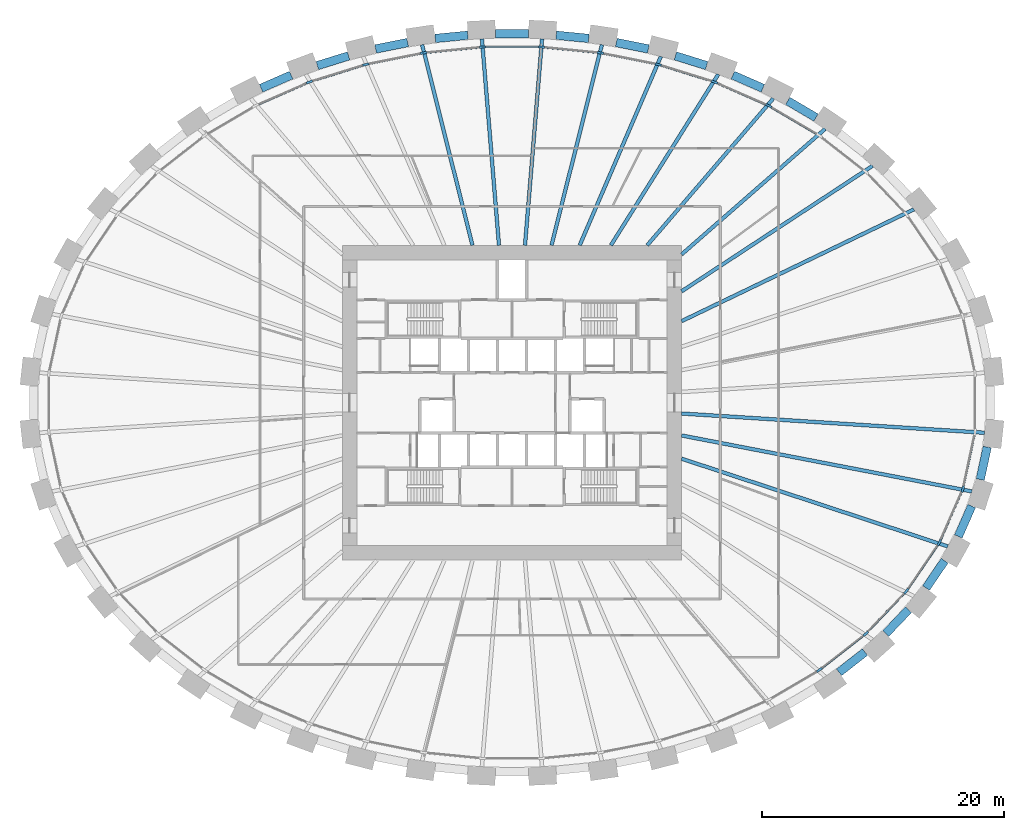
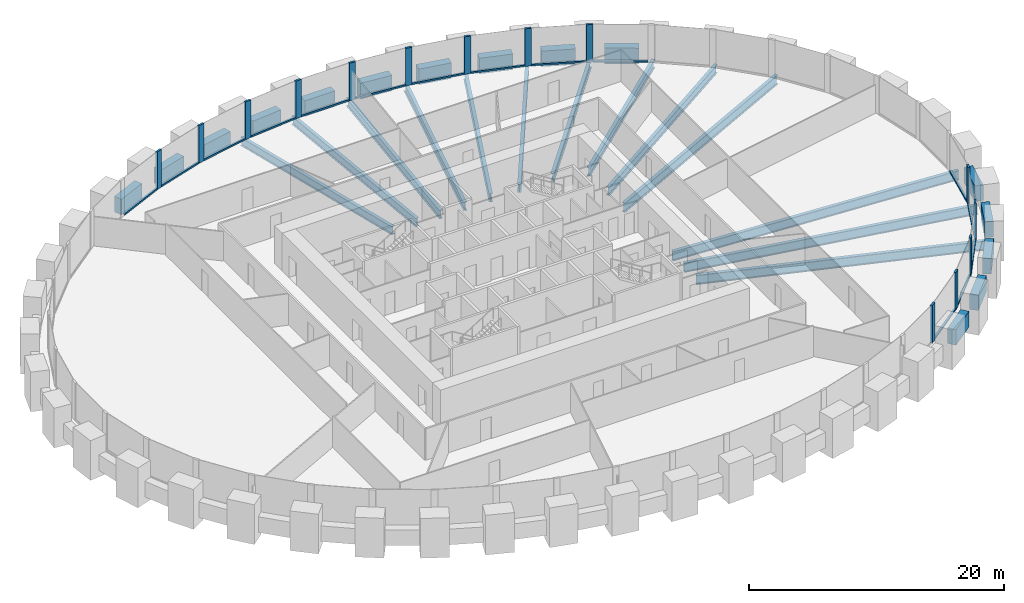
# One storey, part 3 of 10: 29 members, 28 beams, 1 element without a shape of its own.
"""IFC4 building model written with IfcOpenShell, lengths in metres."""

from ifc_helpers import new_model, si_unit, direction, frame, origin, origin_2d, place, context, subcontext, project, spatial, rectangle, i_section, extrude, source, transform, mapped, material, material_profile, profile_set, type_object, element, aggregate, save


model = new_model("IFC4")

# Units and contexts
model_context = context("Model", 3, precision=1e-05, world=origin(), true_north=direction((0.0, 1.0)))
body_context = subcontext(model_context, "Body", "Model", "MODEL_VIEW")
ifc_project = project(units=[si_unit("LENGTHUNIT", "METRE"), si_unit("AREAUNIT", "SQUARE_METRE"), si_unit("VOLUMEUNIT", "CUBIC_METRE"), si_unit("PLANEANGLEUNIT", "RADIAN"), si_unit("MASSUNIT", "GRAM", prefix="KILO")], contexts=[model_context])

# Site, building, storey
site_placement = place(None, origin())
site = spatial("IfcSite", under=ifc_project, at=site_placement, CompositionType="ELEMENT")
building_placement = place(site_placement, origin())
building = spatial("IfcBuilding", under=site, at=building_placement, Name="Embergate Tower", CompositionType="ELEMENT")
storey_placement = place(building_placement, frame((0.0, 0.0, 121.10009765625)))
storey = spatial("IfcBuildingStorey", under=building, at=storey_placement, Name="L26", CompositionType="ELEMENT", Elevation=121.10009765625)

# Beams
ifc_material_1 = material(Name="Concrete C70", Category="concrete")
ifc_material_profile_1 = material_profile(ifc_material_1, rectangle(XDim=0.699951171875, YDim=1.5, at=origin_2d()), Name="RC 700x1500")
ifc_profile_set_1 = profile_set([ifc_material_profile_1], Name="Concrete C70")
beam_type_1 = type_object("IfcBeamType", Name="Spandrel beam RC 700x1500 C70", PredefinedType="BEAM", material=ifc_profile_set_1)
shared_shape_1 = source(origin(), body_context, "Body", "SweptSolid", [
    extrude(rectangle(XDim=0.699951171875, YDim=1.5, at=origin_2d()), origin(), (0.0, 0.0, 1.0), 2.741455078125),
])
beam_1_placement = place(storey_placement, frame((38.64794921875, -6.337890625, 0.0), z_axis=(0.210532507107, 0.977586857241, 0.0), x_axis=(-0.977586857241, 0.210532507107, 0.0)))
element("IfcBeam", 1, at=beam_1_placement, inside=storey, type_object=beam_type_1, Name="SPN-L26-42", PredefinedType="BEAM", context=body_context, shape_type="MappedRepresentation", body=[
    mapped(shared_shape_1, transform((0.0, 0.0, 0.0))),
])
shared_shape_2 = source(origin(), body_context, "Body", "SweptSolid", [
    extrude(rectangle(XDim=0.699951171875, YDim=1.5, at=origin_2d()), origin(), (0.0, 0.0, 1.0), 2.73779296875),
])
beam_2_placement = place(storey_placement, frame((36.841064453125, -11.032958984375, 0.0), z_axis=(0.401740219387, 0.915753676556, 0.0), x_axis=(-0.915753676556, 0.401740219387, 0.0)))
element("IfcBeam", 2, at=beam_2_placement, inside=storey, type_object=beam_type_1, Name="SPN-L26-41", PredefinedType="BEAM", context=body_context, shape_type="MappedRepresentation", body=[
    mapped(shared_shape_2, transform((0.0, 0.0, 0.0))),
])
shared_shape_3 = source(origin(), body_context, "Body", "SweptSolid", [
    extrude(rectangle(XDim=0.699951171875, YDim=1.5, at=origin_2d()), origin(), (0.0, 0.0, 1.0), 2.727294921875),
])
beam_3_placement = place(storey_placement, frame((34.176025390625, -15.291015625, 0.0), z_axis=(0.562422644454, 0.826849907181, 0.0), x_axis=(-0.826849907181, 0.562422644454, 0.0)))
element("IfcBeam", 3, at=beam_3_placement, inside=storey, type_object=beam_type_1, Name="SPN-L26-40", PredefinedType="BEAM", context=body_context, shape_type="MappedRepresentation", body=[
    mapped(shared_shape_3, transform((0.0, 0.0, 0.0))),
])
shared_shape_4 = source(origin(), body_context, "Body", "SweptSolid", [
    extrude(rectangle(XDim=0.699951171875, YDim=1.5, at=origin_2d()), origin(), (0.0, 0.0, 1.0), 2.720947265625),
])
beam_4_placement = place(storey_placement, frame((30.85302734375, -19.050048828125, 0.0), z_axis=(0.690174788546, 0.723642702759, 0.0), x_axis=(-0.723642702759, 0.690174788546, 0.0)))
element("IfcBeam", 4, at=beam_4_placement, inside=storey, type_object=beam_type_1, Name="SPN-L26-39", PredefinedType="BEAM", context=body_context, shape_type="MappedRepresentation", body=[
    mapped(shared_shape_4, transform((0.0, 0.0, 0.0))),
])
shared_shape_5 = source(origin(), body_context, "Body", "SweptSolid", [
    extrude(rectangle(XDim=0.699951171875, YDim=1.5, at=origin_2d()), origin(), (0.0, 0.0, 1.0), 2.715087890625),
])
beam_5_placement = place(storey_placement, frame((26.9951171875, -22.25, 0.0), z_axis=(0.788183854673, 0.61543985184, 0.0), x_axis=(-0.61543985184, 0.788183854673, 0.0)))
element("IfcBeam", 5, at=beam_5_placement, inside=storey, type_object=beam_type_1, Name="SPN-L26-38", PredefinedType="BEAM", context=body_context, shape_type="MappedRepresentation", body=[
    mapped(shared_shape_5, transform((0.0, 0.0, 0.0))),
])
shared_shape_6 = source(origin(), body_context, "Body", "SweptSolid", [
    extrude(rectangle(XDim=0.699951171875, YDim=1.5, at=origin_2d()), origin(), (0.0, 0.0, 1.0), 2.70947265625),
])
beam_6_placement = place(storey_placement, frame((25.093017578125, 23.54296875, 0.0), z_axis=(-0.862100939268, 0.506736588884, 0.0), x_axis=(-0.506736588884, -0.862100939268, 0.0)))
element("IfcBeam", 6, at=beam_6_placement, inside=storey, type_object=beam_type_1, Name="SPN-L26-05", PredefinedType="BEAM", context=body_context, shape_type="MappedRepresentation", body=[
    mapped(shared_shape_6, transform((0.0, 0.0, 0.0))),
])
shared_shape_7 = source(origin(), body_context, "Body", "SweptSolid", [
    extrude(rectangle(XDim=0.699951171875, YDim=1.5, at=origin_2d()), origin(), (0.0, 0.0, 1.0), 2.70751953125),
])
for number, where, z_axis, x_axis, name in (
    (7, (20.7080078125, 25.9619140625, 0.0), (-0.91635176707, 0.400374123774, 0.0), (-0.400374123774, -0.91635176707, 0.0), "SPN-L26-06"),
    (8, (-18.22705078125, 27.0458984375, 0.0), (-0.91635176707, -0.400374123774, 0.0), (0.400374123774, -0.91635176707, 0.0), "SPN-L26-14"),
):
    element("IfcBeam", number, at=place(storey_placement, frame(where, z_axis=z_axis, x_axis=x_axis)), inside=storey, type_object=beam_type_1, Name=name, PredefinedType="BEAM", context=body_context, shape_type="MappedRepresentation", body=[
        mapped(shared_shape_7, transform((0.0, 0.0, 0.0))),
    ])
shared_shape_8 = source(origin(), body_context, "Body", "SweptSolid", [
    extrude(rectangle(XDim=0.699951171875, YDim=1.5, at=origin_2d()), origin(), (0.0, 0.0, 1.0), 2.701171875),
])
for number, where, z_axis, x_axis, name in (
    (9, (16.06494140625, 27.8310546875, 0.0), (-0.954683993788, 0.297621356768, 0.0), (-0.297621356768, -0.954683993788, 0.0), "SPN-L26-07"),
    (10, (11.257080078125, 29.202880859375, 0.0), (-0.980395998514, 0.197037270836, 0.0), (-0.197037270836, -0.980395998514, 0.0), "SPN-L26-08"),
    (11, (-8.60888671875, 29.735107421875, 0.0), (-0.980395998514, -0.197037270836, 0.0), (0.197037270836, -0.980395998514, 0.0), "SPN-L26-12"),
    (12, (-13.486083984375, 28.635009765625, 0.0), (-0.954683993788, -0.297621356768, 0.0), (0.297621356768, -0.954683993788, 0.0), "SPN-L26-13"),
):
    element("IfcBeam", number, at=place(storey_placement, frame(where, z_axis=z_axis, x_axis=x_axis)), inside=storey, type_object=beam_type_1, Name=name, PredefinedType="BEAM", context=body_context, shape_type="MappedRepresentation", body=[
        mapped(shared_shape_8, transform((0.0, 0.0, 0.0))),
    ])
shared_shape_9 = source(origin(), body_context, "Body", "SweptSolid", [
    extrude(rectangle(XDim=0.699951171875, YDim=1.5, at=origin_2d()), origin(), (0.0, 0.0, 1.0), 2.699951171875),
])
for number, where, z_axis, x_axis, name in (
    (13, (6.333984375, 30.073974609375, 0.0), (-0.995211120004, 0.097748793451, 0.0), (-0.097748793451, -0.995211120004, 0.0), "SPN-L26-09"),
    (14, (-3.64697265625, 30.337890625, 0.0), (-0.995211120004, -0.097748793451, 0.0), (0.097748793451, -0.995211120004, 0.0), "SPN-L26-11"),
):
    element("IfcBeam", number, at=place(storey_placement, frame(where, z_axis=z_axis, x_axis=x_axis)), inside=storey, type_object=beam_type_1, Name=name, PredefinedType="BEAM", context=body_context, shape_type="MappedRepresentation", body=[
        mapped(shared_shape_9, transform((0.0, 0.0, 0.0))),
    ])
shared_shape_10 = source(origin(), body_context, "Body", "SweptSolid", [
    extrude(rectangle(XDim=0.699951171875, YDim=1.5, at=origin_2d()), origin(), (0.0, 0.0, 1.0), 2.7001953125),
])
beam_7_placement = place(storey_placement, frame((1.35009765625, 30.450927734375, 0.0), z_axis=(-1.0, 0.0, 0.0), x_axis=(0.0, -1.0, 0.0)))
element("IfcBeam", 15, at=beam_7_placement, inside=storey, type_object=beam_type_1, Name="SPN-L26-10", PredefinedType="BEAM", context=body_context, shape_type="MappedRepresentation", body=[
    mapped(shared_shape_10, transform((0.0, 0.0, 0.0))),
])
ifc_material_2 = material(Name="Steel Q355B", Category="steel")
ifc_material_profile_2 = material_profile(ifc_material_2, i_section(OverallWidth=0.300048828125, OverallDepth=0.89990234375, WebThickness=0.01611328125, FlangeThickness=0.028076171875, FilletRadius=0.028076171875, at=origin_2d()), Name="HN 900x300x16x28")
ifc_profile_set_2 = profile_set([ifc_material_profile_2], Name="Steel Q355 grade B")
beam_type_2 = type_object("IfcBeamType", Name="Radial girder HN 900x300x16x28", PredefinedType="BEAM", material=ifc_profile_set_2)
shared_shape_11 = source(origin(), body_context, "Body", "SweptSolid", [
    extrude(i_section(OverallWidth=0.300048828125, OverallDepth=0.89990234375, WebThickness=0.01611328125, FlangeThickness=0.028076171875, FilletRadius=0.028076171875, at=origin_2d()), origin(), (0.0, 0.0, 1.0), 25.04833984375),
])
beam_8_placement = place(storey_placement, frame((38.998046875, -2.47705078125, -0.650146484375), z_axis=(-0.997988035397, 0.063402533111, 0.0), x_axis=(-0.063402533111, -0.997988035397, 0.0)))
element("IfcBeam", 16, at=beam_8_placement, inside=storey, type_object=beam_type_2, Name="GIR-L26-43", PredefinedType="BEAM", context=body_context, shape_type="MappedRepresentation", body=[
    mapped(shared_shape_11, transform((0.0, 0.0, 0.0))),
])
shared_shape_12 = source(origin(), body_context, "Body", "SweptSolid", [
    extrude(i_section(OverallWidth=0.300048828125, OverallDepth=0.89990234375, WebThickness=0.01611328125, FlangeThickness=0.028076171875, FilletRadius=0.028076171875, at=origin_2d()), origin(), (0.0, 0.0, 1.0), 24.397705078125),
])
beam_9_placement = place(storey_placement, frame((37.9560546875, -7.322021484375, -0.650146484375), z_axis=(-0.981898654656, 0.18940705368, 0.0), x_axis=(-0.18940705368, -0.981898654656, 0.0)))
element("IfcBeam", 17, at=beam_9_placement, inside=storey, type_object=beam_type_2, Name="GIR-L26-42", PredefinedType="BEAM", context=body_context, shape_type="MappedRepresentation", body=[
    mapped(shared_shape_12, transform((0.0, 0.0, 0.0))),
])
shared_shape_13 = source(origin(), body_context, "Body", "SweptSolid", [
    extrude(i_section(OverallWidth=0.300048828125, OverallDepth=0.89990234375, WebThickness=0.01611328125, FlangeThickness=0.028076171875, FilletRadius=0.028076171875, at=origin_2d()), origin(), (0.0, 0.0, 1.0), 23.12890625),
])
beam_10_placement = place(storey_placement, frame((35.965087890625, -11.861083984375, -0.650146484375), z_axis=(-0.949684454756, 0.313208295541, 0.0), x_axis=(-0.313208295541, -0.949684454756, 0.0)))
element("IfcBeam", 18, at=beam_10_placement, inside=storey, type_object=beam_type_2, Name="GIR-L26-41", PredefinedType="BEAM", context=body_context, shape_type="MappedRepresentation", body=[
    mapped(shared_shape_13, transform((0.0, 0.0, 0.0))),
])
shared_shape_14 = source(origin(), body_context, "Body", "SweptSolid", [
    extrude(i_section(OverallWidth=0.300048828125, OverallDepth=0.89990234375, WebThickness=0.01611328125, FlangeThickness=0.028076171875, FilletRadius=0.028076171875, at=origin_2d()), origin(), (0.0, 0.0, 1.0), 21.28076171875),
])
beam_11_placement = place(storey_placement, frame((33.177001953125, 15.9609375, -0.650146484375), z_axis=(-0.901140134985, -0.433527919654, 0.0), x_axis=(0.433527919654, -0.901140134985, 0.0)))
element("IfcBeam", 19, at=beam_11_placement, inside=storey, type_object=beam_type_2, Name="GIR-L26-03", PredefinedType="BEAM", context=body_context, shape_type="MappedRepresentation", body=[
    mapped(shared_shape_14, transform((0.0, 0.0, 0.0))),
])
ifc_material_profile_3 = material_profile(ifc_material_2, i_section(OverallWidth=0.300048828125, OverallDepth=0.800048828125, WebThickness=0.013916015625, FlangeThickness=0.02587890625, FilletRadius=0.028076171875, at=origin_2d()), Name="HN 800x300x14x26")
ifc_profile_set_3 = profile_set([ifc_material_profile_3], Name="Steel Q355 grade B")
beam_type_3 = type_object("IfcBeamType", Name="Radial girder HN 800x300x14x26", PredefinedType="BEAM", material=ifc_profile_set_3)
shared_shape_15 = source(origin(), body_context, "Body", "SweptSolid", [
    extrude(i_section(OverallWidth=0.300048828125, OverallDepth=0.800048828125, WebThickness=0.013916015625, FlangeThickness=0.02587890625, FilletRadius=0.028076171875, at=origin_2d()), origin(), (0.0, 0.0, 1.0), 18.8515625),
])
beam_12_placement = place(storey_placement, frame((29.7548828125, 19.550048828125, -0.60009765625), z_axis=(-0.835733668862, -0.549134987713, 0.0), x_axis=(0.549134987713, -0.835733668862, 0.0)))
element("IfcBeam", 20, at=beam_12_placement, inside=storey, type_object=beam_type_3, Name="GIR-L26-04", PredefinedType="BEAM", context=body_context, shape_type="MappedRepresentation", body=[
    mapped(shared_shape_15, transform((0.0, 0.0, 0.0))),
])
shared_shape_16 = source(origin(), body_context, "Body", "SweptSolid", [
    extrude(i_section(OverallWidth=0.300048828125, OverallDepth=0.800048828125, WebThickness=0.013916015625, FlangeThickness=0.02587890625, FilletRadius=0.028076171875, at=origin_2d()), origin(), (0.0, 0.0, 1.0), 15.73583984375),
])
beam_13_placement = place(storey_placement, frame((25.844970703125, 22.60205078125, -0.60009765625), z_axis=(-0.752741020376, -0.658316759807, 0.0), x_axis=(0.658316759807, -0.752741020376, 0.0)))
element("IfcBeam", 21, at=beam_13_placement, inside=storey, type_object=beam_type_3, Name="GIR-L26-05", PredefinedType="BEAM", context=body_context, shape_type="MappedRepresentation", body=[
    mapped(shared_shape_16, transform((0.0, 0.0, 0.0))),
])
shared_shape_17 = source(origin(), body_context, "Body", "SweptSolid", [
    extrude(i_section(OverallWidth=0.300048828125, OverallDepth=0.800048828125, WebThickness=0.013916015625, FlangeThickness=0.02587890625, FilletRadius=0.028076171875, at=origin_2d()), origin(), (0.0, 0.0, 1.0), 15.969970703125),
])
beam_14_placement = place(storey_placement, frame((21.568115234375, 25.115966796875, -0.60009765625), z_axis=(-0.651474728506, -0.758670335599, 0.0), x_axis=(0.758670335599, -0.651474728506, 0.0)))
element("IfcBeam", 22, at=beam_14_placement, inside=storey, type_object=beam_type_3, Name="GIR-L26-06", PredefinedType="BEAM", context=body_context, shape_type="MappedRepresentation", body=[
    mapped(shared_shape_17, transform((0.0, 0.0, 0.0))),
])
shared_shape_18 = source(origin(), body_context, "Body", "SweptSolid", [
    extrude(i_section(OverallWidth=0.300048828125, OverallDepth=0.800048828125, WebThickness=0.013916015625, FlangeThickness=0.02587890625, FilletRadius=0.028076171875, at=origin_2d()), origin(), (0.0, 0.0, 1.0), 16.65478515625),
])
beam_15_placement = place(storey_placement, frame((17.02197265625, 27.10400390625, -0.60009765625), z_axis=(-0.531850282952, -0.846838400478, 0.0), x_axis=(0.846838400478, -0.531850282952, 0.0)))
element("IfcBeam", 23, at=beam_15_placement, inside=storey, type_object=beam_type_3, Name="GIR-L26-07", PredefinedType="BEAM", context=body_context, shape_type="MappedRepresentation", body=[
    mapped(shared_shape_18, transform((0.0, 0.0, 0.0))),
])
shared_shape_19 = source(origin(), body_context, "Body", "SweptSolid", [
    extrude(i_section(OverallWidth=0.300048828125, OverallDepth=0.800048828125, WebThickness=0.013916015625, FlangeThickness=0.02587890625, FilletRadius=0.028076171875, at=origin_2d()), origin(), (0.0, 0.0, 1.0), 16.95751953125),
])
beam_16_placement = place(storey_placement, frame((12.284912109375, 28.5791015625, -0.60009765625), z_axis=(-0.394928600028, -0.918711816012, 0.0), x_axis=(0.918711816012, -0.394928600028, 0.0)))
element("IfcBeam", 24, at=beam_16_placement, inside=storey, type_object=beam_type_3, Name="GIR-L26-08", PredefinedType="BEAM", context=body_context, shape_type="MappedRepresentation", body=[
    mapped(shared_shape_19, transform((0.0, 0.0, 0.0))),
])
shared_shape_20 = source(origin(), body_context, "Body", "SweptSolid", [
    extrude(i_section(OverallWidth=0.300048828125, OverallDepth=0.800048828125, WebThickness=0.013916015625, FlangeThickness=0.02587890625, FilletRadius=0.028076171875, at=origin_2d()), origin(), (0.0, 0.0, 1.0), 17.068603515625),
])
for number, where, z_axis, x_axis, name in (
    (25, (7.419921875, 29.554931640625, -0.60009765625), (-0.243487950905, -0.969903921924, 0.0), (0.969903921924, -0.243487950905, 0.0), "GIR-L26-09"),
    (26, (-7.419921875, 29.554931640625, -0.60009765625), (0.243487950905, -0.969903921924, 0.0), (0.969903921924, 0.243487950905, 0.0), "GIR-L26-12"),
):
    element("IfcBeam", number, at=place(storey_placement, frame(where, z_axis=z_axis, x_axis=x_axis)), inside=storey, type_object=beam_type_3, Name=name, PredefinedType="BEAM", context=body_context, shape_type="MappedRepresentation", body=[
        mapped(shared_shape_20, transform((0.0, 0.0, 0.0))),
    ])
shared_shape_21 = source(origin(), body_context, "Body", "SweptSolid", [
    extrude(i_section(OverallWidth=0.300048828125, OverallDepth=0.800048828125, WebThickness=0.013916015625, FlangeThickness=0.02587890625, FilletRadius=0.028076171875, at=origin_2d()), origin(), (0.0, 0.0, 1.0), 17.09912109375),
])
for number, where, z_axis, x_axis, name in (
    (27, (2.48095703125, 30.041015625, -0.60009765625), (-0.082284484054, -0.996608882001, 0.0), (0.996608882001, -0.082284484054, 0.0), "GIR-L26-10"),
    (28, (-2.48095703125, 30.041015625, -0.60009765625), (0.082284484054, -0.996608882001, 0.0), (0.996608882001, 0.082284484054, 0.0), "GIR-L26-11"),
):
    element("IfcBeam", number, at=place(storey_placement, frame(where, z_axis=z_axis, x_axis=x_axis)), inside=storey, type_object=beam_type_3, Name=name, PredefinedType="BEAM", context=body_context, shape_type="MappedRepresentation", body=[
        mapped(shared_shape_21, transform((0.0, 0.0, 0.0))),
    ])

# Curtain wall, members
ifc_material_3 = material(Name="Aluminium and glass", Category="aluminium")
curtain_wall_type = type_object("IfcCurtainWallType", Name="Recessed office glazing", PredefinedType="NOTDEFINED", material=ifc_material_3)
curtain_wall_placement = place(storey_placement, origin())
curtain_wall = element("IfcCurtainWall", 29, at=curtain_wall_placement, inside=storey, type_object=curtain_wall_type, Name="Recessed office glazing ring", ObjectType="RECESSED OFFICE GLAZING", PredefinedType="USERDEFINED")
ifc_material_4 = material(Name="Aluminium, thermally broken", Category="aluminium")
ifc_material_profile_4 = material_profile(ifc_material_4, rectangle(XDim=0.179931640625, YDim=0.52001953125, at=origin_2d()), Name="AL 520x180")
ifc_profile_set_4 = profile_set([ifc_material_profile_4], Name="Aluminium, thermally broken")
member_type_1 = type_object("IfcMemberType", Name="Office mullion", PredefinedType="MULLION", material=ifc_profile_set_4)
shared_shape_22 = source(origin(), body_context, "Body", "SweptSolid", [
    extrude(rectangle(XDim=0.179931640625, YDim=0.52001953125, at=origin_2d()), origin(), (0.0, 0.0, 1.0), 3.599853515625),
])
member_1_placement = place(storey_placement, frame((21.18017578125, 24.522216796875, 0.0), z_axis=(0.0, 0.0, 1.0), x_axis=(-0.454511380526, -0.890740930334, 0.0)))
member_1 = element("IfcMember", 30, at=member_1_placement, type_object=member_type_1, Name="CW mullion 7", PredefinedType="MULLION", context=body_context, shape_type="MappedRepresentation", body=[
    mapped(shared_shape_22, transform((0.0, 0.0, 0.0))),
])
member_2_placement = place(storey_placement, frame((16.719482421875, 26.47265625, 0.0), z_axis=(0.0, 0.0, 1.0), x_axis=(-0.349502682851, -0.936935363128, 0.0)))
member_2 = element("IfcMember", 31, at=member_2_placement, type_object=member_type_1, Name="CW mullion 8", PredefinedType="MULLION", context=body_context, shape_type="MappedRepresentation", body=[
    mapped(shared_shape_22, transform((0.0, 0.0, 0.0))),
])
member_3_placement = place(storey_placement, frame((12.068359375, 27.921142578125, 0.0), z_axis=(0.0, 0.0, 1.0), x_axis=(-0.24731188137, -0.968935928394, 0.0)))
member_3 = element("IfcMember", 32, at=member_3_placement, type_object=member_type_1, Name="CW mullion 9", PredefinedType="MULLION", context=body_context, shape_type="MappedRepresentation", body=[
    mapped(shared_shape_22, transform((0.0, 0.0, 0.0))),
])
member_4_placement = place(storey_placement, frame((7.28955078125, 28.879638671875, 0.0), z_axis=(0.0, 0.0, 1.0), x_axis=(-0.147412382818, -0.989075118174, 0.0)))
member_4 = element("IfcMember", 33, at=member_4_placement, type_object=member_type_1, Name="CW mullion 10", PredefinedType="MULLION", context=body_context, shape_type="MappedRepresentation", body=[
    mapped(shared_shape_22, transform((0.0, 0.0, 0.0))),
])
member_5_placement = place(storey_placement, frame((2.437744140625, 29.3564453125, 0.0), z_axis=(0.0, 0.0, 1.0), x_axis=(-0.048971796621, -0.998800161762, 0.0)))
member_5 = element("IfcMember", 34, at=member_5_placement, type_object=member_type_1, Name="CW mullion 11", PredefinedType="MULLION", context=body_context, shape_type="MappedRepresentation", body=[
    mapped(shared_shape_22, transform((0.0, 0.0, 0.0))),
])
member_6_placement = place(storey_placement, frame((-2.437744140625, 29.3564453125, 0.0), z_axis=(0.0, 0.0, 1.0), x_axis=(0.048971796621, -0.998800161762, 0.0)))
member_6 = element("IfcMember", 35, at=member_6_placement, type_object=member_type_1, Name="CW mullion 12", PredefinedType="MULLION", context=body_context, shape_type="MappedRepresentation", body=[
    mapped(shared_shape_22, transform((0.0, 0.0, 0.0))),
])
member_7_placement = place(storey_placement, frame((-7.28955078125, 28.879638671875, 0.0), z_axis=(0.0, 0.0, 1.0), x_axis=(0.147412382818, -0.989075118174, 0.0)))
member_7 = element("IfcMember", 36, at=member_7_placement, type_object=member_type_1, Name="CW mullion 13", PredefinedType="MULLION", context=body_context, shape_type="MappedRepresentation", body=[
    mapped(shared_shape_22, transform((0.0, 0.0, 0.0))),
])
member_8_placement = place(storey_placement, frame((-12.068359375, 27.921142578125, 0.0), z_axis=(0.0, 0.0, 1.0), x_axis=(0.24731188137, -0.968935928394, 0.0)))
member_8 = element("IfcMember", 37, at=member_8_placement, type_object=member_type_1, Name="CW mullion 14", PredefinedType="MULLION", context=body_context, shape_type="MappedRepresentation", body=[
    mapped(shared_shape_22, transform((0.0, 0.0, 0.0))),
])
member_9_placement = place(storey_placement, frame((-16.719482421875, 26.47265625, 0.0), z_axis=(0.0, 0.0, 1.0), x_axis=(0.349502682851, -0.936935363128, 0.0)))
member_9 = element("IfcMember", 38, at=member_9_placement, type_object=member_type_1, Name="CW mullion 15", PredefinedType="MULLION", context=body_context, shape_type="MappedRepresentation", body=[
    mapped(shared_shape_22, transform((0.0, 0.0, 0.0))),
])
member_10_placement = place(storey_placement, frame((25.373046875, -22.05712890625, 0.0), z_axis=(0.0, 0.0, 1.0), x_axis=(-0.562217618544, 0.826989328467, 0.0)))
member_10 = element("IfcMember", 39, at=member_10_placement, type_object=member_type_1, Name="CW mullion 39", PredefinedType="MULLION", context=body_context, shape_type="MappedRepresentation", body=[
    mapped(shared_shape_22, transform((0.0, 0.0, 0.0))),
])
member_11_placement = place(storey_placement, frame((29.202392578125, -19.068359375, 0.0), z_axis=(0.0, 0.0, 1.0), x_axis=(-0.671227827685, 0.741251106806, 0.0)))
member_11 = element("IfcMember", 40, at=member_11_placement, type_object=member_type_1, Name="CW mullion 40", PredefinedType="MULLION", context=body_context, shape_type="MappedRepresentation", body=[
    mapped(shared_shape_22, transform((0.0, 0.0, 0.0))),
])
member_12_placement = place(storey_placement, frame((32.5498046875, -15.558349609375, 0.0), z_axis=(0.0, 0.0, 1.0), x_axis=(-0.777874757957, 0.628419335264, 0.0)))
member_12 = element("IfcMember", 41, at=member_12_placement, type_object=member_type_1, Name="CW mullion 41", PredefinedType="MULLION", context=body_context, shape_type="MappedRepresentation", body=[
    mapped(shared_shape_22, transform((0.0, 0.0, 0.0))),
])
member_13_placement = place(storey_placement, frame((35.2724609375, -11.5546875, 0.0), z_axis=(0.0, 0.0, 1.0), x_axis=(-0.875003585723, 0.484116437412, 0.0)))
member_13 = element("IfcMember", 42, at=member_13_placement, type_object=member_type_1, Name="CW mullion 42", PredefinedType="MULLION", context=body_context, shape_type="MappedRepresentation", body=[
    mapped(shared_shape_22, transform((0.0, 0.0, 0.0))),
])
member_14_placement = place(storey_placement, frame((37.21337890625, -7.129150390625, 0.0), z_axis=(0.0, 0.0, 1.0), x_axis=(-0.951498871907, 0.307652233471, 0.0)))
member_14 = element("IfcMember", 43, at=member_14_placement, type_object=member_type_1, Name="CW mullion 43", PredefinedType="MULLION", context=body_context, shape_type="MappedRepresentation", body=[
    mapped(shared_shape_22, transform((0.0, 0.0, 0.0))),
])
ifc_material_profile_5 = material_profile(ifc_material_4, rectangle(XDim=0.179931640625, YDim=0.14990234375, at=origin_2d()), Name="AL 150x180")
ifc_profile_set_5 = profile_set([ifc_material_profile_5], Name="Aluminium, thermally broken")
member_type_2 = type_object("IfcMemberType", Name="Office sill transom", PredefinedType="USERDEFINED", material=ifc_profile_set_5)
shared_shape_23 = source(origin(), body_context, "Body", "SweptSolid", [
    extrude(rectangle(XDim=0.179931640625, YDim=0.14990234375, at=origin_2d()), origin(), (0.0, 0.0, 1.0), 4.305908203125),
])
member_15_placement = place(storey_placement, frame((37.268310546875, -6.875, 0.074951171875), z_axis=(0.210357665869, 0.977624494584, 0.0), x_axis=(-0.977624494584, 0.210357665869, 0.0)))
member_15 = element("IfcMember", 44, at=member_15_placement, type_object=member_type_2, Name="CW transom 43.1", ObjectType="TRANSOM", PredefinedType="USERDEFINED", context=body_context, shape_type="MappedRepresentation", body=[
    mapped(shared_shape_23, transform((0.0, 0.0, 0.0))),
])
shared_shape_24 = source(origin(), body_context, "Body", "SweptSolid", [
    extrude(rectangle(XDim=0.179931640625, YDim=0.14990234375, at=origin_2d()), origin(), (0.0, 0.0, 1.0), 4.3125),
])
member_16_placement = place(storey_placement, frame((35.376953125, -11.316650390625, 0.074951171875), z_axis=(0.40160568605, 0.915812684413, 0.0), x_axis=(-0.915812684413, 0.40160568605, 0.0)))
member_16 = element("IfcMember", 45, at=member_16_placement, type_object=member_type_2, Name="CW transom 42.1", ObjectType="TRANSOM", PredefinedType="USERDEFINED", context=body_context, shape_type="MappedRepresentation", body=[
    mapped(shared_shape_24, transform((0.0, 0.0, 0.0))),
])
shared_shape_25 = source(origin(), body_context, "Body", "SweptSolid", [
    extrude(rectangle(XDim=0.179931640625, YDim=0.14990234375, at=origin_2d()), origin(), (0.0, 0.0, 1.0), 4.321533203125),
])
member_17_placement = place(storey_placement, frame((32.696044921875, -15.34326171875, 0.074951171875), z_axis=(0.562342471098, 0.826904435349, 0.0), x_axis=(-0.826904435349, 0.562342471098, 0.0)))
member_17 = element("IfcMember", 46, at=member_17_placement, type_object=member_type_2, Name="CW transom 41.1", ObjectType="TRANSOM", PredefinedType="USERDEFINED", context=body_context, shape_type="MappedRepresentation", body=[
    mapped(shared_shape_25, transform((0.0, 0.0, 0.0))),
])
shared_shape_26 = source(origin(), body_context, "Body", "SweptSolid", [
    extrude(rectangle(XDim=0.179931640625, YDim=0.14990234375, at=origin_2d()), origin(), (0.0, 0.0, 1.0), 4.330322265625),
])
member_18_placement = place(storey_placement, frame((29.3818359375, -18.880126953125, 0.074951171875), z_axis=(0.690135080162, 0.72368057258, 0.0), x_axis=(-0.72368057258, 0.690135080162, 0.0)))
member_18 = element("IfcMember", 47, at=member_18_placement, type_object=member_type_2, Name="CW transom 40.1", ObjectType="TRANSOM", PredefinedType="USERDEFINED", context=body_context, shape_type="MappedRepresentation", body=[
    mapped(shared_shape_26, transform((0.0, 0.0, 0.0))),
])
shared_shape_27 = source(origin(), body_context, "Body", "SweptSolid", [
    extrude(rectangle(XDim=0.179931640625, YDim=0.14990234375, at=origin_2d()), origin(), (0.0, 0.0, 1.0), 4.337890625),
])
member_19_placement = place(storey_placement, frame((25.577880859375, -21.897216796875, 0.074951171875), z_axis=(0.788323772989, 0.615260618714, 0.0), x_axis=(-0.615260618714, 0.788323772989, 0.0)))
member_19 = element("IfcMember", 48, at=member_19_placement, type_object=member_type_2, Name="CW transom 39.1", ObjectType="TRANSOM", PredefinedType="USERDEFINED", context=body_context, shape_type="MappedRepresentation", body=[
    mapped(shared_shape_27, transform((0.0, 0.0, 0.0))),
])
shared_shape_28 = source(origin(), body_context, "Body", "SweptSolid", [
    extrude(rectangle(XDim=0.179931640625, YDim=0.14990234375, at=origin_2d()), origin(), (0.0, 0.0, 1.0), 4.34375),
])
member_20_placement = place(storey_placement, frame((25.14892578125, 22.18896484375, 0.074951171875), z_axis=(-0.8620656673, 0.506796591605, 0.0), x_axis=(-0.506796591605, -0.8620656673, 0.0)))
member_20 = element("IfcMember", 49, at=member_20_placement, type_object=member_type_2, Name="CW transom 6.1", ObjectType="TRANSOM", PredefinedType="USERDEFINED", context=body_context, shape_type="MappedRepresentation", body=[
    mapped(shared_shape_28, transform((0.0, 0.0, 0.0))),
])
shared_shape_29 = source(origin(), body_context, "Body", "SweptSolid", [
    extrude(rectangle(XDim=0.179931640625, YDim=0.14990234375, at=origin_2d()), origin(), (0.0, 0.0, 1.0), 4.348388671875),
])
member_21_placement = place(storey_placement, frame((20.94189453125, 24.626220703125, 0.074951171875), z_axis=(-0.916230768266, 0.400650944442, 0.0), x_axis=(-0.400650944442, -0.916230768266, 0.0)))
member_21 = element("IfcMember", 50, at=member_21_placement, type_object=member_type_2, Name="CW transom 7.1", ObjectType="TRANSOM", PredefinedType="USERDEFINED", context=body_context, shape_type="MappedRepresentation", body=[
    mapped(shared_shape_29, transform((0.0, 0.0, 0.0))),
])
member_22_placement = place(storey_placement, frame((-16.957763671875, 26.368408203125, 0.074951171875), z_axis=(-0.916230768266, -0.400650944442, 0.0), x_axis=(0.400650944442, -0.916230768266, 0.0)))
member_22 = element("IfcMember", 51, at=member_22_placement, type_object=member_type_2, Name="CW transom 15.1", ObjectType="TRANSOM", PredefinedType="USERDEFINED", context=body_context, shape_type="MappedRepresentation", body=[
    mapped(shared_shape_29, transform((0.0, 0.0, 0.0))),
])
shared_shape_30 = source(origin(), body_context, "Body", "SweptSolid", [
    extrude(rectangle(XDim=0.179931640625, YDim=0.14990234375, at=origin_2d()), origin(), (0.0, 0.0, 1.0), 4.351806640625),
])
member_23_placement = place(storey_placement, frame((16.471435546875, 26.5498046875, 0.074951171875), z_axis=(-0.954758063246, 0.297383659044, 0.0), x_axis=(-0.297383659044, -0.954758063246, 0.0)))
member_23 = element("IfcMember", 52, at=member_23_placement, type_object=member_type_2, Name="CW transom 8.1", ObjectType="TRANSOM", PredefinedType="USERDEFINED", context=body_context, shape_type="MappedRepresentation", body=[
    mapped(shared_shape_30, transform((0.0, 0.0, 0.0))),
])
member_24_placement = place(storey_placement, frame((-12.31640625, 27.843994140625, 0.074951171875), z_axis=(-0.954758063246, -0.297383659044, 0.0), x_axis=(0.297383659044, -0.954758063246, 0.0)))
member_24 = element("IfcMember", 53, at=member_24_placement, type_object=member_type_2, Name="CW transom 14.1", ObjectType="TRANSOM", PredefinedType="USERDEFINED", context=body_context, shape_type="MappedRepresentation", body=[
    mapped(shared_shape_30, transform((0.0, 0.0, 0.0))),
])
shared_shape_31 = source(origin(), body_context, "Body", "SweptSolid", [
    extrude(rectangle(XDim=0.179931640625, YDim=0.14990234375, at=origin_2d()), origin(), (0.0, 0.0, 1.0), 4.353759765625),
])
member_25_placement = place(storey_placement, frame((11.813232421875, 27.972412109375, 0.074951171875), z_axis=(-0.98048350153, 0.196601381548, 0.0), x_axis=(-0.196601381548, -0.98048350153, 0.0)))
member_25 = element("IfcMember", 54, at=member_25_placement, type_object=member_type_2, Name="CW transom 9.1", ObjectType="TRANSOM", PredefinedType="USERDEFINED", context=body_context, shape_type="MappedRepresentation", body=[
    mapped(shared_shape_31, transform((0.0, 0.0, 0.0))),
])
member_26_placement = place(storey_placement, frame((-7.54443359375, 28.828369140625, 0.074951171875), z_axis=(-0.98048350153, -0.196601381548, 0.0), x_axis=(0.196601381548, -0.98048350153, 0.0)))
member_26 = element("IfcMember", 55, at=member_26_placement, type_object=member_type_2, Name="CW transom 13.1", ObjectType="TRANSOM", PredefinedType="USERDEFINED", context=body_context, shape_type="MappedRepresentation", body=[
    mapped(shared_shape_31, transform((0.0, 0.0, 0.0))),
])
shared_shape_32 = source(origin(), body_context, "Body", "SweptSolid", [
    extrude(rectangle(XDim=0.179931640625, YDim=0.14990234375, at=origin_2d()), origin(), (0.0, 0.0, 1.0), 4.355224609375),
])
member_27_placement = place(storey_placement, frame((7.03076171875, 28.905029296875, 0.074951171875), z_axis=(-0.995203944073, 0.097821826306, 0.0), x_axis=(-0.097821826306, -0.995203944073, 0.0)))
member_27 = element("IfcMember", 56, at=member_27_placement, type_object=member_type_2, Name="CW transom 10.1", ObjectType="TRANSOM", PredefinedType="USERDEFINED", context=body_context, shape_type="MappedRepresentation", body=[
    mapped(shared_shape_32, transform((0.0, 0.0, 0.0))),
])
member_28_placement = place(storey_placement, frame((-2.696533203125, 29.3310546875, 0.074951171875), z_axis=(-0.995203944073, -0.097821826306, 0.0), x_axis=(0.097821826306, -0.995203944073, 0.0)))
member_28 = element("IfcMember", 57, at=member_28_placement, type_object=member_type_2, Name="CW transom 12.1", ObjectType="TRANSOM", PredefinedType="USERDEFINED", context=body_context, shape_type="MappedRepresentation", body=[
    mapped(shared_shape_32, transform((0.0, 0.0, 0.0))),
])
shared_shape_33 = source(origin(), body_context, "Body", "SweptSolid", [
    extrude(rectangle(XDim=0.179931640625, YDim=0.14990234375, at=origin_2d()), origin(), (0.0, 0.0, 1.0), 4.35546875),
])
member_29_placement = place(storey_placement, frame((2.177734375, 29.3564453125, 0.074951171875), z_axis=(-1.0, 0.0, 0.0), x_axis=(0.0, -1.0, 0.0)))
member_29 = element("IfcMember", 58, at=member_29_placement, type_object=member_type_2, Name="CW transom 11.1", ObjectType="TRANSOM", PredefinedType="USERDEFINED", context=body_context, shape_type="MappedRepresentation", body=[
    mapped(shared_shape_33, transform((0.0, 0.0, 0.0))),
])
aggregate(curtain_wall, [member_1, member_2, member_3, member_4, member_5, member_6, member_7, member_8, member_9, member_10, member_11, member_12, member_13, member_14, member_20, member_21, member_23, member_25, member_27, member_29, member_28, member_26, member_24, member_22, member_19, member_18, member_17, member_16, member_15])

save(model, "model.ifc")
